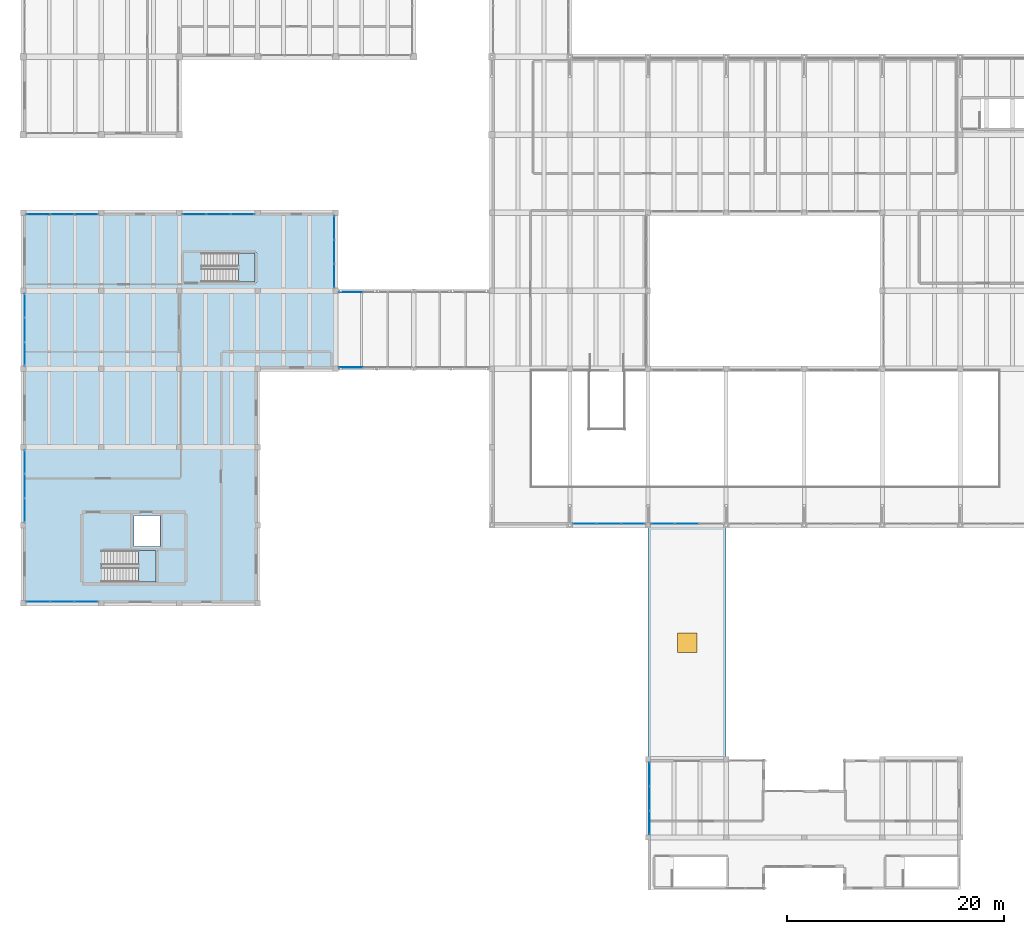
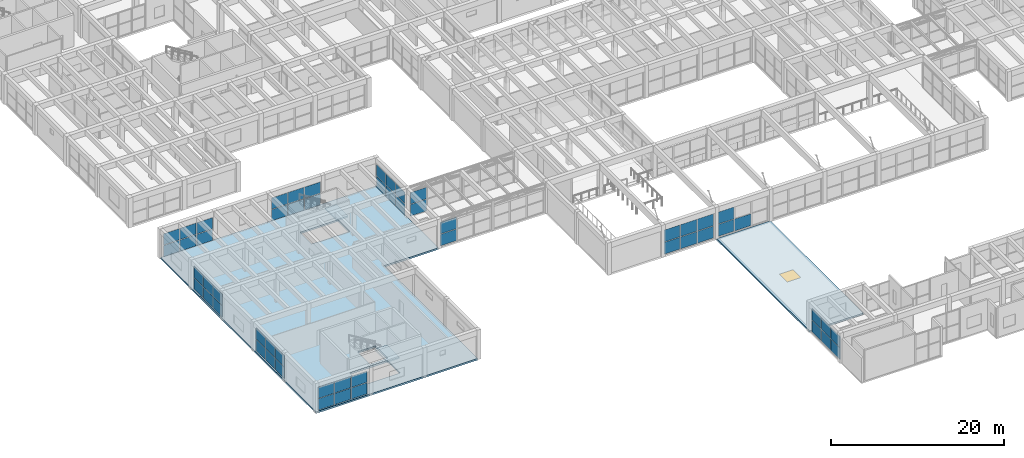
# One storey, part 117 of 153: 55 plates, 4 slabs, 1 window, 1 opening, 13 elements without a shape of their own.
"""IFC4 building model written with IfcOpenShell, lengths in metres."""

from ifc_helpers import new_model, si_unit, direction, frame, origin, origin_2d, place, context, subcontext, project, spatial, polyline, rectangle, outline, extrude, material, layer, layer_set, type_object, element, fill, aggregate, save


model = new_model("IFC4")

# Units and contexts
model_context = context("Model", 3, precision=1e-05, world=origin(), true_north=direction((0.0, 1.0)))
body_context = subcontext(model_context, "Body", "Model", "MODEL_VIEW")
ifc_project = project(units=[si_unit("LENGTHUNIT", "METRE"), si_unit("AREAUNIT", "SQUARE_METRE"), si_unit("VOLUMEUNIT", "CUBIC_METRE"), si_unit("PLANEANGLEUNIT", "RADIAN"), si_unit("MASSUNIT", "GRAM", prefix="KILO")], contexts=[model_context])

# Site, building, storey
site_placement = place(None, origin())
site = spatial("IfcSite", under=ifc_project, at=site_placement, CompositionType="ELEMENT")
building_placement = place(site_placement, origin())
building = spatial("IfcBuilding", under=site, at=building_placement, Name="Bramvelor Terrace Health Centre", CompositionType="ELEMENT")
storey_placement = place(building_placement, frame((0.0, 0.0, 4.800048828125)))
storey = spatial("IfcBuildingStorey", under=building, at=storey_placement, Name="L02", CompositionType="ELEMENT", Elevation=4.800048828125)

# Curtain wall, plates
ifc_material_1 = material(Name="Anodized aluminium and double low-E glass", Category="aluminium")
curtain_wall_type_1 = type_object("IfcCurtainWallType", Name="CW-SYS-20", PredefinedType="NOTDEFINED", material=ifc_material_1)
curtain_wall_1_placement = place(storey_placement, origin())
curtain_wall_1 = element("IfcCurtainWall", 1, at=curtain_wall_1_placement, inside=storey, type_object=curtain_wall_type_1, Name="L02 Unitized Curtain Wall 121", PredefinedType="NOTDEFINED")
ifc_material_2 = material(Name="Double low-E laminated glass", Category="glass")
ifc_layer_1 = layer(ifc_material_2, 0.028076171875)
ifc_layer_set_1 = layer_set([ifc_layer_1], Name="Double low-E laminated glass")
plate_type = type_object("IfcPlateType", Name="CW-PNL-GLZ28", PredefinedType="CURTAIN_PANEL", material=ifc_layer_set_1)
plate_1_placement = place(storey_placement, frame((61.199951171875, 36.1298828125, 0.06494140625), z_axis=(0.0, 0.0, 1.0), x_axis=(-1.0, 0.0, 0.0)))
plate_1 = element("IfcPlate", 2, at=plate_1_placement, type_object=plate_type, Name="CW-20 panel 2.1", PredefinedType="CURTAIN_PANEL", context=body_context, shape_type="SweptSolid", body=[
    extrude(rectangle(XDim=2.16162109375, YDim=0.028076171875, at=origin_2d()), origin(), (0.0, 0.0, 1.0), 1.677490234375),
])
plate_2_placement = place(storey_placement, frame((58.982177734375, 36.1298828125, 0.06494140625), z_axis=(0.0, 0.0, 1.0), x_axis=(-1.0, 0.0, 0.0)))
plate_2 = element("IfcPlate", 3, at=plate_2_placement, type_object=plate_type, Name="CW-20 panel 3.1", PredefinedType="CURTAIN_PANEL", context=body_context, shape_type="SweptSolid", body=[
    extrude(rectangle(XDim=2.124267578125, YDim=0.028076171875, at=origin_2d()), origin(), (0.0, 0.0, 1.0), 1.677490234375),
])
plate_3_placement = place(storey_placement, frame((58.982177734375, 36.1298828125, 1.8076171875), z_axis=(0.0, 0.0, 1.0), x_axis=(-1.0, 0.0, 0.0)))
plate_3 = element("IfcPlate", 4, at=plate_3_placement, type_object=plate_type, Name="CW-20 panel 3.2", PredefinedType="CURTAIN_PANEL", context=body_context, shape_type="SweptSolid", body=[
    extrude(rectangle(XDim=2.124267578125, YDim=0.028076171875, at=origin_2d()), origin(), (0.0, 0.0, 1.0), 1.677490234375),
])
aggregate(curtain_wall_1, [plate_1, plate_2, plate_3])

curtain_wall_2_placement = place(storey_placement, origin())
curtain_wall_2 = element("IfcCurtainWall", 5, at=curtain_wall_2_placement, inside=storey, type_object=curtain_wall_type_1, Name="L02 Unitized Curtain Wall 122", PredefinedType="NOTDEFINED")
plate_4_placement = place(storey_placement, frame((56.218017578125, 36.1298828125, 0.06494140625), z_axis=(0.0, 0.0, 1.0), x_axis=(-1.0, 0.0, 0.0)))
plate_4 = element("IfcPlate", 6, at=plate_4_placement, type_object=plate_type, Name="CW-20 panel 1.1", PredefinedType="CURTAIN_PANEL", context=body_context, shape_type="SweptSolid", body=[
    extrude(rectangle(XDim=2.124267578125, YDim=0.028076171875, at=origin_2d()), origin(), (0.0, 0.0, 1.0), 1.677490234375),
])
plate_5_placement = place(storey_placement, frame((56.218017578125, 36.1298828125, 1.8076171875), z_axis=(0.0, 0.0, 1.0), x_axis=(-1.0, 0.0, 0.0)))
plate_5 = element("IfcPlate", 7, at=plate_5_placement, type_object=plate_type, Name="CW-20 panel 1.2", PredefinedType="CURTAIN_PANEL", context=body_context, shape_type="SweptSolid", body=[
    extrude(rectangle(XDim=2.124267578125, YDim=0.028076171875, at=origin_2d()), origin(), (0.0, 0.0, 1.0), 1.677490234375),
])
plate_6_placement = place(storey_placement, frame((54.0, 36.1298828125, 0.06494140625), z_axis=(0.0, 0.0, 1.0), x_axis=(-1.0, 0.0, 0.0)))
plate_6 = element("IfcPlate", 8, at=plate_6_placement, type_object=plate_type, Name="CW-20 panel 2.1", PredefinedType="CURTAIN_PANEL", context=body_context, shape_type="SweptSolid", body=[
    extrude(rectangle(XDim=2.16162109375, YDim=0.028076171875, at=origin_2d()), origin(), (0.0, 0.0, 1.0), 1.677490234375),
])
plate_7_placement = place(storey_placement, frame((54.0, 36.1298828125, 1.8076171875), z_axis=(0.0, 0.0, 1.0), x_axis=(-1.0, 0.0, 0.0)))
plate_7 = element("IfcPlate", 9, at=plate_7_placement, type_object=plate_type, Name="CW-20 panel 2.2", PredefinedType="CURTAIN_PANEL", context=body_context, shape_type="SweptSolid", body=[
    extrude(rectangle(XDim=2.16162109375, YDim=0.028076171875, at=origin_2d()), origin(), (0.0, 0.0, 1.0), 1.677490234375),
])
plate_8_placement = place(storey_placement, frame((51.781982421875, 36.1298828125, 0.06494140625), z_axis=(0.0, 0.0, 1.0), x_axis=(-1.0, 0.0, 0.0)))
plate_8 = element("IfcPlate", 10, at=plate_8_placement, type_object=plate_type, Name="CW-20 panel 3.1", PredefinedType="CURTAIN_PANEL", context=body_context, shape_type="SweptSolid", body=[
    extrude(rectangle(XDim=2.124267578125, YDim=0.028076171875, at=origin_2d()), origin(), (0.0, 0.0, 1.0), 1.677490234375),
])
plate_9_placement = place(storey_placement, frame((51.781982421875, 36.1298828125, 1.8076171875), z_axis=(0.0, 0.0, 1.0), x_axis=(-1.0, 0.0, 0.0)))
plate_9 = element("IfcPlate", 11, at=plate_9_placement, type_object=plate_type, Name="CW-20 panel 3.2", PredefinedType="CURTAIN_PANEL", context=body_context, shape_type="SweptSolid", body=[
    extrude(rectangle(XDim=2.124267578125, YDim=0.028076171875, at=origin_2d()), origin(), (0.0, 0.0, 1.0), 1.677490234375),
])
aggregate(curtain_wall_2, [plate_4, plate_5, plate_6, plate_7, plate_8, plate_9])

ifc_material_3 = material(Name="Anodized aluminium and double low-E glass", Category="aluminium")
curtain_wall_type_2 = type_object("IfcCurtainWallType", Name="CW-SYS-01", PredefinedType="NOTDEFINED", material=ifc_material_3)
curtain_wall_3_placement = place(storey_placement, origin())
curtain_wall_3 = element("IfcCurtainWall", 12, at=curtain_wall_3_placement, inside=storey, type_object=curtain_wall_type_2, Name="L02 Unitized Curtain Wall 124", PredefinedType="NOTDEFINED")
plate_10_placement = place(storey_placement, frame((30.202392578125, 50.530029296875, 0.06494140625), z_axis=(0.0, 0.0, 1.0), x_axis=(-1.0, 0.0, 0.0)))
plate_10 = element("IfcPlate", 13, at=plate_10_placement, type_object=plate_type, Name="CW-01 panel 3.1", PredefinedType="CURTAIN_PANEL", context=body_context, shape_type="SweptSolid", body=[
    extrude(rectangle(XDim=2.164794921875, YDim=0.028076171875, at=origin_2d()), origin(), (0.0, 0.0, 1.0), 1.632568359375),
])
plate_11_placement = place(storey_placement, frame((30.202392578125, 50.530029296875, 1.76220703125), z_axis=(0.0, 0.0, 1.0), x_axis=(-1.0, 0.0, 0.0)))
plate_11 = element("IfcPlate", 14, at=plate_11_placement, type_object=plate_type, Name="CW-01 panel 3.2", PredefinedType="CURTAIN_PANEL", context=body_context, shape_type="SweptSolid", body=[
    extrude(rectangle(XDim=2.164794921875, YDim=0.028076171875, at=origin_2d()), origin(), (0.0, 0.0, 1.0), 1.632568359375),
])
aggregate(curtain_wall_3, [plate_10, plate_11])

ifc_material_4 = material(Name="Anodized aluminium and double low-E glass", Category="aluminium")
curtain_wall_type_3 = type_object("IfcCurtainWallType", Name="CW-SYS-16", PredefinedType="NOTDEFINED", material=ifc_material_4)
curtain_wall_4_placement = place(storey_placement, origin())
curtain_wall_4 = element("IfcCurtainWall", 15, at=curtain_wall_4_placement, inside=storey, type_object=curtain_wall_type_3, Name="L02 Unitized Curtain Wall 125", PredefinedType="NOTDEFINED")
plate_12_placement = place(storey_placement, frame((5.81787109375, 28.929931640625, 0.06494140625), z_axis=(0.0, 0.0, 1.0), x_axis=(-1.0, 0.0, 0.0)))
plate_12 = element("IfcPlate", 16, at=plate_12_placement, type_object=plate_type, Name="CW-16 panel 1.1", PredefinedType="CURTAIN_PANEL", context=body_context, shape_type="SweptSolid", body=[
    extrude(rectangle(XDim=2.124267578125, YDim=0.028076171875, at=origin_2d()), origin(), (0.0, 0.0, 1.0), 1.58251953125),
])
plate_13_placement = place(storey_placement, frame((5.81787109375, 28.929931640625, 1.71240234375), z_axis=(0.0, 0.0, 1.0), x_axis=(-1.0, 0.0, 0.0)))
plate_13 = element("IfcPlate", 17, at=plate_13_placement, type_object=plate_type, Name="CW-16 panel 1.2", PredefinedType="CURTAIN_PANEL", context=body_context, shape_type="SweptSolid", body=[
    extrude(rectangle(XDim=2.124267578125, YDim=0.028076171875, at=origin_2d()), origin(), (0.0, 0.0, 1.0), 1.58251953125),
])
plate_14_placement = place(storey_placement, frame((3.60009765625, 28.929931640625, 0.06494140625), z_axis=(0.0, 0.0, 1.0), x_axis=(-1.0, 0.0, 0.0)))
plate_14 = element("IfcPlate", 18, at=plate_14_placement, type_object=plate_type, Name="CW-16 panel 2.1", PredefinedType="CURTAIN_PANEL", context=body_context, shape_type="SweptSolid", body=[
    extrude(rectangle(XDim=2.16162109375, YDim=0.028076171875, at=origin_2d()), origin(), (0.0, 0.0, 1.0), 1.58251953125),
])
plate_15_placement = place(storey_placement, frame((3.60009765625, 28.929931640625, 1.71240234375), z_axis=(0.0, 0.0, 1.0), x_axis=(-1.0, 0.0, 0.0)))
plate_15 = element("IfcPlate", 19, at=plate_15_placement, type_object=plate_type, Name="CW-16 panel 2.2", PredefinedType="CURTAIN_PANEL", context=body_context, shape_type="SweptSolid", body=[
    extrude(rectangle(XDim=2.16162109375, YDim=0.028076171875, at=origin_2d()), origin(), (0.0, 0.0, 1.0), 1.58251953125),
])
plate_16_placement = place(storey_placement, frame((1.382080078125, 28.929931640625, 0.06494140625), z_axis=(0.0, 0.0, 1.0), x_axis=(-1.0, 0.0, 0.0)))
plate_16 = element("IfcPlate", 20, at=plate_16_placement, type_object=plate_type, Name="CW-16 panel 3.1", PredefinedType="CURTAIN_PANEL", context=body_context, shape_type="SweptSolid", body=[
    extrude(rectangle(XDim=2.124267578125, YDim=0.028076171875, at=origin_2d()), origin(), (0.0, 0.0, 1.0), 1.58251953125),
])
plate_17_placement = place(storey_placement, frame((1.382080078125, 28.929931640625, 1.71240234375), z_axis=(0.0, 0.0, 1.0), x_axis=(-1.0, 0.0, 0.0)))
plate_17 = element("IfcPlate", 21, at=plate_17_placement, type_object=plate_type, Name="CW-16 panel 3.2", PredefinedType="CURTAIN_PANEL", context=body_context, shape_type="SweptSolid", body=[
    extrude(rectangle(XDim=2.124267578125, YDim=0.028076171875, at=origin_2d()), origin(), (0.0, 0.0, 1.0), 1.58251953125),
])
aggregate(curtain_wall_4, [plate_12, plate_13, plate_14, plate_15, plate_16, plate_17])

curtain_wall_5_placement = place(storey_placement, origin())
curtain_wall_5 = element("IfcCurtainWall", 22, at=curtain_wall_5_placement, inside=storey, type_object=curtain_wall_type_3, Name="L02 Unitized Curtain Wall 126", PredefinedType="NOTDEFINED")
plate_18_placement = place(storey_placement, frame((0.1298828125, 37.382080078125, 0.06494140625), z_axis=(0.0, 0.0, 1.0), x_axis=(0.0, 1.0, 0.0)))
plate_18 = element("IfcPlate", 23, at=plate_18_placement, type_object=plate_type, Name="CW-16 panel 1.1", PredefinedType="CURTAIN_PANEL", context=body_context, shape_type="SweptSolid", body=[
    extrude(rectangle(XDim=2.124267578125, YDim=0.028076171875, at=origin_2d()), origin(), (0.0, 0.0, 1.0), 1.58251953125),
])
plate_19_placement = place(storey_placement, frame((0.1298828125, 37.382080078125, 1.71240234375), z_axis=(0.0, 0.0, 1.0), x_axis=(0.0, 1.0, 0.0)))
plate_19 = element("IfcPlate", 24, at=plate_19_placement, type_object=plate_type, Name="CW-16 panel 1.2", PredefinedType="CURTAIN_PANEL", context=body_context, shape_type="SweptSolid", body=[
    extrude(rectangle(XDim=2.124267578125, YDim=0.028076171875, at=origin_2d()), origin(), (0.0, 0.0, 1.0), 1.58251953125),
])
plate_20_placement = place(storey_placement, frame((0.1298828125, 39.60009765625, 0.06494140625), z_axis=(0.0, 0.0, 1.0), x_axis=(0.0, 1.0, 0.0)))
plate_20 = element("IfcPlate", 25, at=plate_20_placement, type_object=plate_type, Name="CW-16 panel 2.1", PredefinedType="CURTAIN_PANEL", context=body_context, shape_type="SweptSolid", body=[
    extrude(rectangle(XDim=2.16162109375, YDim=0.028076171875, at=origin_2d()), origin(), (0.0, 0.0, 1.0), 1.58251953125),
])
plate_21_placement = place(storey_placement, frame((0.1298828125, 39.60009765625, 1.71240234375), z_axis=(0.0, 0.0, 1.0), x_axis=(0.0, 1.0, 0.0)))
plate_21 = element("IfcPlate", 26, at=plate_21_placement, type_object=plate_type, Name="CW-16 panel 2.2", PredefinedType="CURTAIN_PANEL", context=body_context, shape_type="SweptSolid", body=[
    extrude(rectangle(XDim=2.16162109375, YDim=0.028076171875, at=origin_2d()), origin(), (0.0, 0.0, 1.0), 1.58251953125),
])
plate_22_placement = place(storey_placement, frame((0.1298828125, 41.81787109375, 0.06494140625), z_axis=(0.0, 0.0, 1.0), x_axis=(0.0, 1.0, 0.0)))
plate_22 = element("IfcPlate", 27, at=plate_22_placement, type_object=plate_type, Name="CW-16 panel 3.1", PredefinedType="CURTAIN_PANEL", context=body_context, shape_type="SweptSolid", body=[
    extrude(rectangle(XDim=2.124267578125, YDim=0.028076171875, at=origin_2d()), origin(), (0.0, 0.0, 1.0), 1.58251953125),
])
plate_23_placement = place(storey_placement, frame((0.1298828125, 41.81787109375, 1.71240234375), z_axis=(0.0, 0.0, 1.0), x_axis=(0.0, 1.0, 0.0)))
plate_23 = element("IfcPlate", 28, at=plate_23_placement, type_object=plate_type, Name="CW-16 panel 3.2", PredefinedType="CURTAIN_PANEL", context=body_context, shape_type="SweptSolid", body=[
    extrude(rectangle(XDim=2.124267578125, YDim=0.028076171875, at=origin_2d()), origin(), (0.0, 0.0, 1.0), 1.58251953125),
])
aggregate(curtain_wall_5, [plate_18, plate_19, plate_20, plate_21, plate_22, plate_23])

curtain_wall_6_placement = place(storey_placement, origin())
curtain_wall_6 = element("IfcCurtainWall", 29, at=curtain_wall_6_placement, inside=storey, type_object=curtain_wall_type_3, Name="L02 Unitized Curtain Wall 127", PredefinedType="NOTDEFINED")
plate_24_placement = place(storey_placement, frame((0.1298828125, 51.781982421875, 0.06494140625), z_axis=(0.0, 0.0, 1.0), x_axis=(0.0, 1.0, 0.0)))
plate_24 = element("IfcPlate", 30, at=plate_24_placement, type_object=plate_type, Name="CW-16 panel 1.1", PredefinedType="CURTAIN_PANEL", context=body_context, shape_type="SweptSolid", body=[
    extrude(rectangle(XDim=2.124267578125, YDim=0.028076171875, at=origin_2d()), origin(), (0.0, 0.0, 1.0), 1.58251953125),
])
plate_25_placement = place(storey_placement, frame((0.1298828125, 51.781982421875, 1.71240234375), z_axis=(0.0, 0.0, 1.0), x_axis=(0.0, 1.0, 0.0)))
plate_25 = element("IfcPlate", 31, at=plate_25_placement, type_object=plate_type, Name="CW-16 panel 1.2", PredefinedType="CURTAIN_PANEL", context=body_context, shape_type="SweptSolid", body=[
    extrude(rectangle(XDim=2.124267578125, YDim=0.028076171875, at=origin_2d()), origin(), (0.0, 0.0, 1.0), 1.58251953125),
])
plate_26_placement = place(storey_placement, frame((0.1298828125, 54.0, 0.06494140625), z_axis=(0.0, 0.0, 1.0), x_axis=(0.0, 1.0, 0.0)))
plate_26 = element("IfcPlate", 32, at=plate_26_placement, type_object=plate_type, Name="CW-16 panel 2.1", PredefinedType="CURTAIN_PANEL", context=body_context, shape_type="SweptSolid", body=[
    extrude(rectangle(XDim=2.16162109375, YDim=0.028076171875, at=origin_2d()), origin(), (0.0, 0.0, 1.0), 1.58251953125),
])
plate_27_placement = place(storey_placement, frame((0.1298828125, 54.0, 1.71240234375), z_axis=(0.0, 0.0, 1.0), x_axis=(0.0, 1.0, 0.0)))
plate_27 = element("IfcPlate", 33, at=plate_27_placement, type_object=plate_type, Name="CW-16 panel 2.2", PredefinedType="CURTAIN_PANEL", context=body_context, shape_type="SweptSolid", body=[
    extrude(rectangle(XDim=2.16162109375, YDim=0.028076171875, at=origin_2d()), origin(), (0.0, 0.0, 1.0), 1.58251953125),
])
plate_28_placement = place(storey_placement, frame((0.1298828125, 56.218017578125, 0.06494140625), z_axis=(0.0, 0.0, 1.0), x_axis=(0.0, 1.0, 0.0)))
plate_28 = element("IfcPlate", 34, at=plate_28_placement, type_object=plate_type, Name="CW-16 panel 3.1", PredefinedType="CURTAIN_PANEL", context=body_context, shape_type="SweptSolid", body=[
    extrude(rectangle(XDim=2.124267578125, YDim=0.028076171875, at=origin_2d()), origin(), (0.0, 0.0, 1.0), 1.58251953125),
])
plate_29_placement = place(storey_placement, frame((0.1298828125, 56.218017578125, 1.71240234375), z_axis=(0.0, 0.0, 1.0), x_axis=(0.0, 1.0, 0.0)))
plate_29 = element("IfcPlate", 35, at=plate_29_placement, type_object=plate_type, Name="CW-16 panel 3.2", PredefinedType="CURTAIN_PANEL", context=body_context, shape_type="SweptSolid", body=[
    extrude(rectangle(XDim=2.124267578125, YDim=0.028076171875, at=origin_2d()), origin(), (0.0, 0.0, 1.0), 1.58251953125),
])
aggregate(curtain_wall_6, [plate_24, plate_25, plate_26, plate_27, plate_28, plate_29])

curtain_wall_7_placement = place(storey_placement, origin())
curtain_wall_7 = element("IfcCurtainWall", 36, at=curtain_wall_7_placement, inside=storey, type_object=curtain_wall_type_3, Name="L02 Unitized Curtain Wall 128", PredefinedType="NOTDEFINED")
plate_30_placement = place(storey_placement, frame((1.382080078125, 64.669921875, 0.06494140625), z_axis=(0.0, 0.0, 1.0), x_axis=(1.0, 0.0, 0.0)))
plate_30 = element("IfcPlate", 37, at=plate_30_placement, type_object=plate_type, Name="CW-16 panel 1.1", PredefinedType="CURTAIN_PANEL", context=body_context, shape_type="SweptSolid", body=[
    extrude(rectangle(XDim=2.124267578125, YDim=0.028076171875, at=origin_2d()), origin(), (0.0, 0.0, 1.0), 1.58251953125),
])
plate_31_placement = place(storey_placement, frame((1.382080078125, 64.669921875, 1.71240234375), z_axis=(0.0, 0.0, 1.0), x_axis=(1.0, 0.0, 0.0)))
plate_31 = element("IfcPlate", 38, at=plate_31_placement, type_object=plate_type, Name="CW-16 panel 1.2", PredefinedType="CURTAIN_PANEL", context=body_context, shape_type="SweptSolid", body=[
    extrude(rectangle(XDim=2.124267578125, YDim=0.028076171875, at=origin_2d()), origin(), (0.0, 0.0, 1.0), 1.58251953125),
])
plate_32_placement = place(storey_placement, frame((3.60009765625, 64.669921875, 0.06494140625), z_axis=(0.0, 0.0, 1.0), x_axis=(1.0, 0.0, 0.0)))
plate_32 = element("IfcPlate", 39, at=plate_32_placement, type_object=plate_type, Name="CW-16 panel 2.1", PredefinedType="CURTAIN_PANEL", context=body_context, shape_type="SweptSolid", body=[
    extrude(rectangle(XDim=2.16162109375, YDim=0.028076171875, at=origin_2d()), origin(), (0.0, 0.0, 1.0), 1.58251953125),
])
plate_33_placement = place(storey_placement, frame((3.60009765625, 64.669921875, 1.71240234375), z_axis=(0.0, 0.0, 1.0), x_axis=(1.0, 0.0, 0.0)))
plate_33 = element("IfcPlate", 40, at=plate_33_placement, type_object=plate_type, Name="CW-16 panel 2.2", PredefinedType="CURTAIN_PANEL", context=body_context, shape_type="SweptSolid", body=[
    extrude(rectangle(XDim=2.16162109375, YDim=0.028076171875, at=origin_2d()), origin(), (0.0, 0.0, 1.0), 1.58251953125),
])
plate_34_placement = place(storey_placement, frame((5.81787109375, 64.669921875, 0.06494140625), z_axis=(0.0, 0.0, 1.0), x_axis=(1.0, 0.0, 0.0)))
plate_34 = element("IfcPlate", 41, at=plate_34_placement, type_object=plate_type, Name="CW-16 panel 3.1", PredefinedType="CURTAIN_PANEL", context=body_context, shape_type="SweptSolid", body=[
    extrude(rectangle(XDim=2.124267578125, YDim=0.028076171875, at=origin_2d()), origin(), (0.0, 0.0, 1.0), 1.58251953125),
])
plate_35_placement = place(storey_placement, frame((5.81787109375, 64.669921875, 1.71240234375), z_axis=(0.0, 0.0, 1.0), x_axis=(1.0, 0.0, 0.0)))
plate_35 = element("IfcPlate", 42, at=plate_35_placement, type_object=plate_type, Name="CW-16 panel 3.2", PredefinedType="CURTAIN_PANEL", context=body_context, shape_type="SweptSolid", body=[
    extrude(rectangle(XDim=2.124267578125, YDim=0.028076171875, at=origin_2d()), origin(), (0.0, 0.0, 1.0), 1.58251953125),
])
aggregate(curtain_wall_7, [plate_30, plate_31, plate_32, plate_33, plate_34, plate_35])

curtain_wall_8_placement = place(storey_placement, origin())
curtain_wall_8 = element("IfcCurtainWall", 43, at=curtain_wall_8_placement, inside=storey, type_object=curtain_wall_type_3, Name="L02 Unitized Curtain Wall 129", PredefinedType="NOTDEFINED")
plate_36_placement = place(storey_placement, frame((15.781982421875, 64.669921875, 0.06494140625), z_axis=(0.0, 0.0, 1.0), x_axis=(1.0, 0.0, 0.0)))
plate_36 = element("IfcPlate", 44, at=plate_36_placement, type_object=plate_type, Name="CW-16 panel 1.1", PredefinedType="CURTAIN_PANEL", context=body_context, shape_type="SweptSolid", body=[
    extrude(rectangle(XDim=2.124267578125, YDim=0.028076171875, at=origin_2d()), origin(), (0.0, 0.0, 1.0), 1.58251953125),
])
plate_37_placement = place(storey_placement, frame((15.781982421875, 64.669921875, 1.71240234375), z_axis=(0.0, 0.0, 1.0), x_axis=(1.0, 0.0, 0.0)))
plate_37 = element("IfcPlate", 45, at=plate_37_placement, type_object=plate_type, Name="CW-16 panel 1.2", PredefinedType="CURTAIN_PANEL", context=body_context, shape_type="SweptSolid", body=[
    extrude(rectangle(XDim=2.124267578125, YDim=0.028076171875, at=origin_2d()), origin(), (0.0, 0.0, 1.0), 1.58251953125),
])
plate_38_placement = place(storey_placement, frame((18.0, 64.669921875, 0.06494140625), z_axis=(0.0, 0.0, 1.0), x_axis=(1.0, 0.0, 0.0)))
plate_38 = element("IfcPlate", 46, at=plate_38_placement, type_object=plate_type, Name="CW-16 panel 2.1", PredefinedType="CURTAIN_PANEL", context=body_context, shape_type="SweptSolid", body=[
    extrude(rectangle(XDim=2.16162109375, YDim=0.028076171875, at=origin_2d()), origin(), (0.0, 0.0, 1.0), 1.58251953125),
])
plate_39_placement = place(storey_placement, frame((18.0, 64.669921875, 1.71240234375), z_axis=(0.0, 0.0, 1.0), x_axis=(1.0, 0.0, 0.0)))
plate_39 = element("IfcPlate", 47, at=plate_39_placement, type_object=plate_type, Name="CW-16 panel 2.2", PredefinedType="CURTAIN_PANEL", context=body_context, shape_type="SweptSolid", body=[
    extrude(rectangle(XDim=2.16162109375, YDim=0.028076171875, at=origin_2d()), origin(), (0.0, 0.0, 1.0), 1.58251953125),
])
plate_40_placement = place(storey_placement, frame((20.218017578125, 64.669921875, 0.06494140625), z_axis=(0.0, 0.0, 1.0), x_axis=(1.0, 0.0, 0.0)))
plate_40 = element("IfcPlate", 48, at=plate_40_placement, type_object=plate_type, Name="CW-16 panel 3.1", PredefinedType="CURTAIN_PANEL", context=body_context, shape_type="SweptSolid", body=[
    extrude(rectangle(XDim=2.124267578125, YDim=0.028076171875, at=origin_2d()), origin(), (0.0, 0.0, 1.0), 1.58251953125),
])
plate_41_placement = place(storey_placement, frame((20.218017578125, 64.669921875, 1.71240234375), z_axis=(0.0, 0.0, 1.0), x_axis=(1.0, 0.0, 0.0)))
plate_41 = element("IfcPlate", 49, at=plate_41_placement, type_object=plate_type, Name="CW-16 panel 3.2", PredefinedType="CURTAIN_PANEL", context=body_context, shape_type="SweptSolid", body=[
    extrude(rectangle(XDim=2.124267578125, YDim=0.028076171875, at=origin_2d()), origin(), (0.0, 0.0, 1.0), 1.58251953125),
])
aggregate(curtain_wall_8, [plate_36, plate_37, plate_38, plate_39, plate_40, plate_41])

curtain_wall_9_placement = place(storey_placement, origin())
curtain_wall_9 = element("IfcCurtainWall", 50, at=curtain_wall_9_placement, inside=storey, type_object=curtain_wall_type_3, Name="L02 Unitized Curtain Wall 130", PredefinedType="NOTDEFINED")
plate_42_placement = place(storey_placement, frame((28.669921875, 63.41796875, 0.06494140625), z_axis=(0.0, 0.0, 1.0), x_axis=(0.0, -1.0, 0.0)))
plate_42 = element("IfcPlate", 51, at=plate_42_placement, type_object=plate_type, Name="CW-16 panel 1.1", PredefinedType="CURTAIN_PANEL", context=body_context, shape_type="SweptSolid", body=[
    extrude(rectangle(XDim=2.124267578125, YDim=0.028076171875, at=origin_2d()), origin(), (0.0, 0.0, 1.0), 1.58251953125),
])
plate_43_placement = place(storey_placement, frame((28.669921875, 63.41796875, 1.71240234375), z_axis=(0.0, 0.0, 1.0), x_axis=(0.0, -1.0, 0.0)))
plate_43 = element("IfcPlate", 52, at=plate_43_placement, type_object=plate_type, Name="CW-16 panel 1.2", PredefinedType="CURTAIN_PANEL", context=body_context, shape_type="SweptSolid", body=[
    extrude(rectangle(XDim=2.124267578125, YDim=0.028076171875, at=origin_2d()), origin(), (0.0, 0.0, 1.0), 1.58251953125),
])
plate_44_placement = place(storey_placement, frame((28.669921875, 61.199951171875, 0.06494140625), z_axis=(0.0, 0.0, 1.0), x_axis=(0.0, -1.0, 0.0)))
plate_44 = element("IfcPlate", 53, at=plate_44_placement, type_object=plate_type, Name="CW-16 panel 2.1", PredefinedType="CURTAIN_PANEL", context=body_context, shape_type="SweptSolid", body=[
    extrude(rectangle(XDim=2.16162109375, YDim=0.028076171875, at=origin_2d()), origin(), (0.0, 0.0, 1.0), 1.58251953125),
])
plate_45_placement = place(storey_placement, frame((28.669921875, 61.199951171875, 1.71240234375), z_axis=(0.0, 0.0, 1.0), x_axis=(0.0, -1.0, 0.0)))
plate_45 = element("IfcPlate", 54, at=plate_45_placement, type_object=plate_type, Name="CW-16 panel 2.2", PredefinedType="CURTAIN_PANEL", context=body_context, shape_type="SweptSolid", body=[
    extrude(rectangle(XDim=2.16162109375, YDim=0.028076171875, at=origin_2d()), origin(), (0.0, 0.0, 1.0), 1.58251953125),
])
plate_46_placement = place(storey_placement, frame((28.669921875, 58.982177734375, 0.06494140625), z_axis=(0.0, 0.0, 1.0), x_axis=(0.0, -1.0, 0.0)))
plate_46 = element("IfcPlate", 55, at=plate_46_placement, type_object=plate_type, Name="CW-16 panel 3.1", PredefinedType="CURTAIN_PANEL", context=body_context, shape_type="SweptSolid", body=[
    extrude(rectangle(XDim=2.124267578125, YDim=0.028076171875, at=origin_2d()), origin(), (0.0, 0.0, 1.0), 1.58251953125),
])
plate_47_placement = place(storey_placement, frame((28.669921875, 58.982177734375, 1.71240234375), z_axis=(0.0, 0.0, 1.0), x_axis=(0.0, -1.0, 0.0)))
plate_47 = element("IfcPlate", 56, at=plate_47_placement, type_object=plate_type, Name="CW-16 panel 3.2", PredefinedType="CURTAIN_PANEL", context=body_context, shape_type="SweptSolid", body=[
    extrude(rectangle(XDim=2.124267578125, YDim=0.028076171875, at=origin_2d()), origin(), (0.0, 0.0, 1.0), 1.58251953125),
])
aggregate(curtain_wall_9, [plate_42, plate_43, plate_44, plate_45, plate_46, plate_47])

curtain_wall_10_placement = place(storey_placement, origin())
curtain_wall_10 = element("IfcCurtainWall", 57, at=curtain_wall_10_placement, inside=storey, type_object=curtain_wall_type_2, Name="L02 Unitized Curtain Wall 131", PredefinedType="NOTDEFINED")
plate_48_placement = place(storey_placement, frame((30.202392578125, 57.469970703125, 0.06494140625), z_axis=(0.0, 0.0, 1.0), x_axis=(1.0, 0.0, 0.0)))
plate_48 = element("IfcPlate", 58, at=plate_48_placement, type_object=plate_type, Name="CW-01 panel 1.1", PredefinedType="CURTAIN_PANEL", context=body_context, shape_type="SweptSolid", body=[
    extrude(rectangle(XDim=2.164794921875, YDim=0.028076171875, at=origin_2d()), origin(), (0.0, 0.0, 1.0), 1.632568359375),
])
plate_49_placement = place(storey_placement, frame((30.202392578125, 57.469970703125, 1.76220703125), z_axis=(0.0, 0.0, 1.0), x_axis=(1.0, 0.0, 0.0)))
plate_49 = element("IfcPlate", 59, at=plate_49_placement, type_object=plate_type, Name="CW-01 panel 1.2", PredefinedType="CURTAIN_PANEL", context=body_context, shape_type="SweptSolid", body=[
    extrude(rectangle(XDim=2.164794921875, YDim=0.028076171875, at=origin_2d()), origin(), (0.0, 0.0, 1.0), 1.632568359375),
])
aggregate(curtain_wall_10, [plate_48, plate_49])

curtain_wall_11_placement = place(storey_placement, origin())
curtain_wall_11 = element("IfcCurtainWall", 60, at=curtain_wall_11_placement, inside=storey, type_object=curtain_wall_type_3, Name="L02 Unitized Curtain Wall 148", PredefinedType="NOTDEFINED")
plate_50_placement = place(storey_placement, frame((57.72998046875, 8.58203125, 0.06494140625), z_axis=(0.0, 0.0, 1.0), x_axis=(0.0, 1.0, 0.0)))
plate_50 = element("IfcPlate", 61, at=plate_50_placement, type_object=plate_type, Name="CW-16 panel 1.1", PredefinedType="CURTAIN_PANEL", context=body_context, shape_type="SweptSolid", body=[
    extrude(rectangle(XDim=2.124267578125, YDim=0.028076171875, at=origin_2d()), origin(), (0.0, 0.0, 1.0), 1.607421875),
])
plate_51_placement = place(storey_placement, frame((57.72998046875, 8.58203125, 1.737548828125), z_axis=(0.0, 0.0, 1.0), x_axis=(0.0, 1.0, 0.0)))
plate_51 = element("IfcPlate", 62, at=plate_51_placement, type_object=plate_type, Name="CW-16 panel 1.2", PredefinedType="CURTAIN_PANEL", context=body_context, shape_type="SweptSolid", body=[
    extrude(rectangle(XDim=2.124267578125, YDim=0.028076171875, at=origin_2d()), origin(), (0.0, 0.0, 1.0), 1.607421875),
])
plate_52_placement = place(storey_placement, frame((57.72998046875, 10.800048828125, 0.06494140625), z_axis=(0.0, 0.0, 1.0), x_axis=(0.0, 1.0, 0.0)))
plate_52 = element("IfcPlate", 63, at=plate_52_placement, type_object=plate_type, Name="CW-16 panel 2.1", PredefinedType="CURTAIN_PANEL", context=body_context, shape_type="SweptSolid", body=[
    extrude(rectangle(XDim=2.16162109375, YDim=0.028076171875, at=origin_2d()), origin(), (0.0, 0.0, 1.0), 1.607421875),
])
plate_53_placement = place(storey_placement, frame((57.72998046875, 10.800048828125, 1.737548828125), z_axis=(0.0, 0.0, 1.0), x_axis=(0.0, 1.0, 0.0)))
plate_53 = element("IfcPlate", 64, at=plate_53_placement, type_object=plate_type, Name="CW-16 panel 2.2", PredefinedType="CURTAIN_PANEL", context=body_context, shape_type="SweptSolid", body=[
    extrude(rectangle(XDim=2.16162109375, YDim=0.028076171875, at=origin_2d()), origin(), (0.0, 0.0, 1.0), 1.607421875),
])
plate_54_placement = place(storey_placement, frame((57.72998046875, 13.017822265625, 0.06494140625), z_axis=(0.0, 0.0, 1.0), x_axis=(0.0, 1.0, 0.0)))
plate_54 = element("IfcPlate", 65, at=plate_54_placement, type_object=plate_type, Name="CW-16 panel 3.1", PredefinedType="CURTAIN_PANEL", context=body_context, shape_type="SweptSolid", body=[
    extrude(rectangle(XDim=2.124267578125, YDim=0.028076171875, at=origin_2d()), origin(), (0.0, 0.0, 1.0), 1.607421875),
])
plate_55_placement = place(storey_placement, frame((57.72998046875, 13.017822265625, 1.737548828125), z_axis=(0.0, 0.0, 1.0), x_axis=(0.0, 1.0, 0.0)))
plate_55 = element("IfcPlate", 66, at=plate_55_placement, type_object=plate_type, Name="CW-16 panel 3.2", PredefinedType="CURTAIN_PANEL", context=body_context, shape_type="SweptSolid", body=[
    extrude(rectangle(XDim=2.124267578125, YDim=0.028076171875, at=origin_2d()), origin(), (0.0, 0.0, 1.0), 1.607421875),
])
aggregate(curtain_wall_11, [plate_50, plate_51, plate_52, plate_53, plate_54, plate_55])

# Slab
ifc_material_5 = material(Name="Concrete C40/50", Category="concrete")
ifc_layer_2 = layer(ifc_material_5, 0.239990234375)
ifc_layer_set_2 = layer_set([ifc_layer_2], Name="Concrete C40/50")
slab_type_1 = type_object("IfcSlabType", Name="SLB-FLR-RC240", PredefinedType="FLOOR", material=ifc_layer_set_2)
slab_1_placement = place(storey_placement, frame((0.0, 0.0, -0.239990234375)))
element("IfcSlab", 67, at=slab_1_placement, inside=storey, type_object=slab_type_1, Name="L02 V6 Floor Slab", PredefinedType="FLOOR", context=body_context, shape_type="SweptSolid", body=[
    extrude(outline(polyline([(21.60009765625, 64.800048828125), (28.800048828125, 64.800048828125), (28.800048828125, 50.39990234375), (21.60009765625, 50.39990234375), (21.60009765625, 28.800048828125), (0.0, 28.800048828125), (0.0, 64.800048828125), (21.60009765625, 64.800048828125)]), holes=[polyline([(7.280029296875, 30.75), (12.35009765625, 30.75), (12.35009765625, 33.64990234375), (7.280029296875, 33.64990234375), (7.280029296875, 30.75)]), polyline([(10.199951171875, 36.89990234375), (10.199951171875, 34.050048828125), (12.60009765625, 34.050048828125), (12.60009765625, 36.89990234375), (10.199951171875, 36.89990234375)]), polyline([(21.550048828125, 61.10009765625), (16.47998046875, 61.10009765625), (16.47998046875, 58.39990234375), (21.550048828125, 58.39990234375), (21.550048828125, 61.10009765625)])]), origin(), (0.0, 0.0, 1.0), 0.239990234375),
])

# Stair, slab
ifc_material_6 = material(Name="Concrete C40/50", Category="concrete")
stair_type_1 = type_object("IfcStairType", Name="STR-CORE", PredefinedType="HALF_TURN_STAIR", material=ifc_material_6)
stair_1_placement = place(storey_placement, origin())
stair_1 = element("IfcStair", 68, at=stair_1_placement, inside=storey, type_object=stair_type_1, Name="L02 C3 Primary Fire Stair", PredefinedType="HALF_TURN_STAIR")
ifc_material_7 = material(Name="Concrete C40/50", Category="concrete")
ifc_layer_3 = layer(ifc_material_7, 0.199951171875)
ifc_layer_set_3 = layer_set([ifc_layer_3], Name="Concrete C40/50")
slab_type_2 = type_object("IfcSlabType", Name="SLB-LND-200", PredefinedType="LANDING", material=ifc_layer_set_3)
slab_2_placement = place(storey_placement, frame((0.0, 0.0, 2.050048828125)))
slab_2 = element("IfcSlab", 69, at=slab_2_placement, type_object=slab_type_2, Name="ST-3 landing 1", PredefinedType="LANDING", context=body_context, shape_type="SweptSolid", body=[
    extrude(outline(polyline([(10.6201171875, 30.75), (12.2548828125, 30.75), (12.2548828125, 33.64990234375), (10.6201171875, 33.64990234375), (10.6201171875, 30.75)])), origin(), (0.0, 0.0, 1.0), 0.199951171875),
])
aggregate(stair_1, [slab_2])

ifc_material_8 = material(Name="Concrete C40/50", Category="concrete")
stair_type_2 = type_object("IfcStairType", Name="STR-SEC", PredefinedType="HALF_TURN_STAIR", material=ifc_material_8)
stair_2_placement = place(storey_placement, origin())
stair_2 = element("IfcStair", 70, at=stair_2_placement, inside=storey, type_object=stair_type_2, Name="L02 North Pharmacy & Mental Health Exit Stair", PredefinedType="HALF_TURN_STAIR")
slab_3_placement = place(storey_placement, frame((0.0, 0.0, 2.050048828125)))
slab_3 = element("IfcSlab", 71, at=slab_3_placement, type_object=slab_type_2, Name="ST-6 landing 1", PredefinedType="LANDING", context=body_context, shape_type="SweptSolid", body=[
    extrude(outline(polyline([(19.840087890625, 58.39990234375), (21.375, 58.39990234375), (21.375, 61.10009765625), (19.840087890625, 61.10009765625), (19.840087890625, 58.39990234375)])), origin(), (0.0, 0.0, 1.0), 0.199951171875),
])
aggregate(stair_2, [slab_3])

# Slab, opening, window
ifc_material_9 = material(Name="Concrete C40/50", Category="concrete")
ifc_layer_4 = layer(ifc_material_9, 0.219970703125)
ifc_layer_set_4 = layer_set([ifc_layer_4], Name="Concrete C40/50")
slab_type_3 = type_object("IfcSlabType", Name="SLB-RF-RC220", PredefinedType="ROOF", material=ifc_layer_set_4)
slab_4_placement = place(storey_placement, frame((0.0, 0.0, -0.219970703125)))
slab_4 = element("IfcSlab", 72, at=slab_4_placement, inside=storey, type_object=slab_type_3, Name="L02 Insulated Maintenance Roof 2", PredefinedType="ROOF", context=body_context, shape_type="SweptSolid", body=[
    extrude(outline(polyline([(64.800048828125, 35.89990234375), (64.800048828125, 14.409912109375), (57.60009765625, 14.409912109375), (57.60009765625, 35.89990234375), (64.800048828125, 35.89990234375)])), origin(), (0.0, 0.0, 1.0), 0.219970703125),
])
opening_placement = place(slab_4_placement, frame((61.199951171875, 25.155029296875, 0.0)))
opening = element("IfcOpeningElement", 73, at=opening_placement, cuts=slab_4, Name="Opening SK-1", PredefinedType="OPENING", context=body_context, shape_type="SweptSolid", body=[
    extrude(rectangle(XDim=1.800048828125, YDim=1.800048828125, at=origin_2d()), origin(), (0.0, 0.0, 1.0), 0.219970703125),
])
ifc_material_10 = material(Name="Double low-E laminated glass", Category="glass")
window_type = type_object("IfcWindowType", Name="SKL-MON-1", PartitioningType="SINGLE_PANEL", PredefinedType="SKYLIGHT", material=ifc_material_10)
window_placement = place(opening_placement, frame((0.0, 0.0, 0.169921875)))
window = element("IfcWindow", 74, at=window_placement, inside=storey, type_object=window_type, Name="L02 Clinical Daylight Monitor Skylight 1", OverallHeight=1.800048828125, OverallWidth=1.800048828125, PartitioningType="SINGLE_PANEL", PredefinedType="SKYLIGHT", context=body_context, shape_type="SweptSolid", body=[
    extrude(rectangle(XDim=1.800048828125, YDim=1.800048828125, at=origin_2d()), origin(), (0.0, 0.0, 1.0), 0.050048828125),
])
fill(opening, window)

save(model, "model.ifc")
